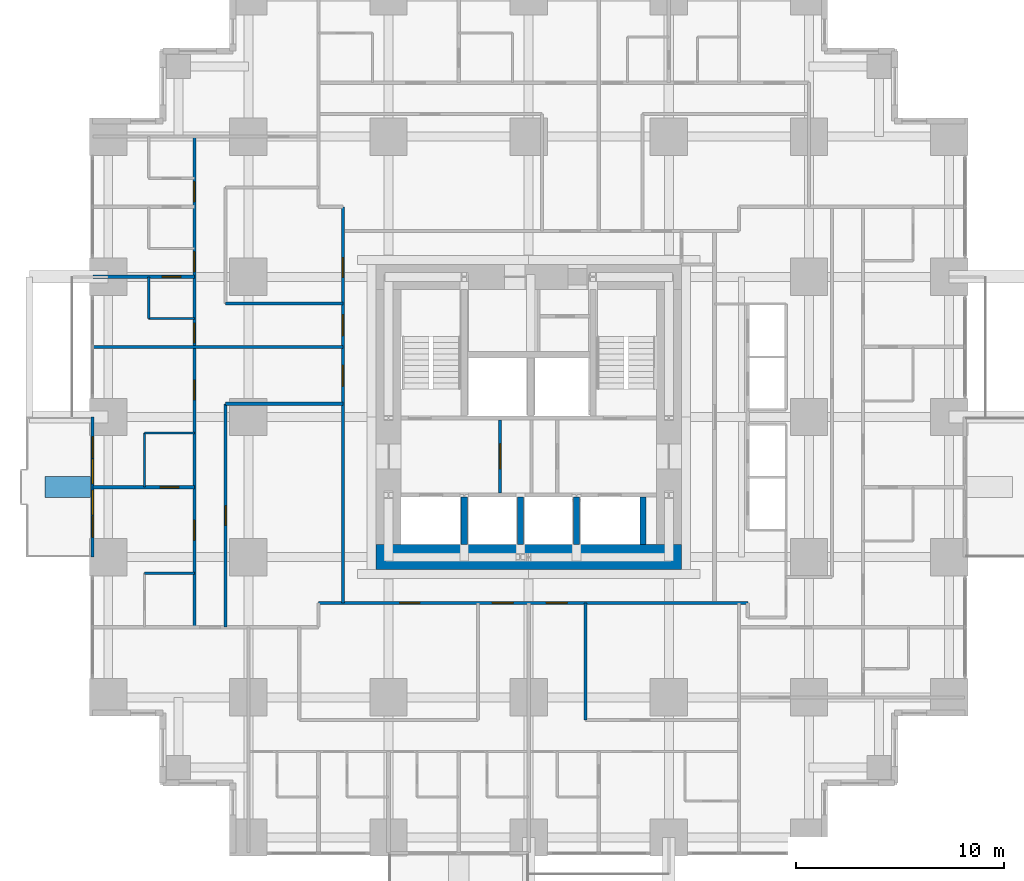
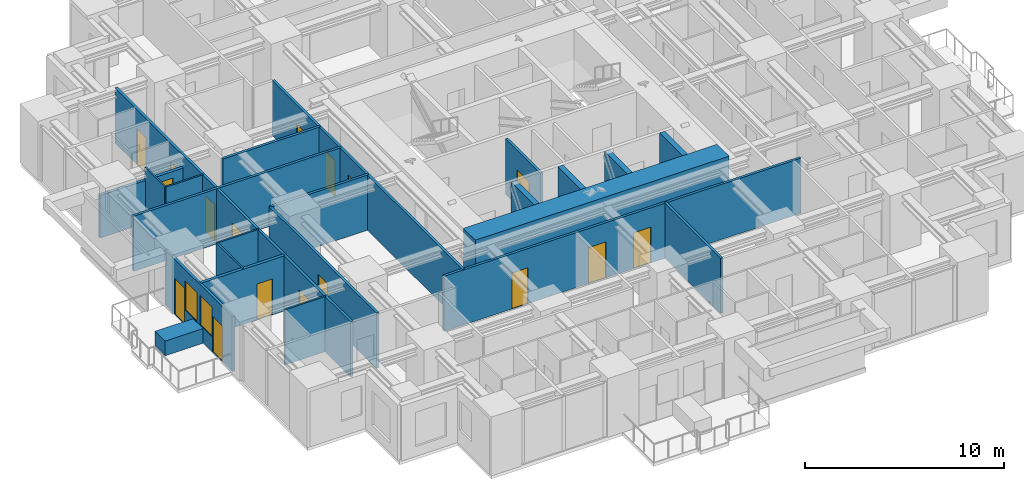
# One storey, part 9 of 14: 23 walls, 17 doors, 2 windows, 19 openings.
"""IFC4 building model written with IfcOpenShell, lengths in metres."""

from ifc_helpers import new_model, si_unit, direction, frame, frame_2d, origin, place, context, subcontext, project, spatial, rectangle, extrude, material, layer, layer_set, type_object, element, fill, save


model = new_model("IFC4")

# Units and contexts
model_context = context("Model", 3, precision=1e-05, world=origin(), true_north=direction((0.0, 1.0)))
body_context = subcontext(model_context, "Body", "Model", "MODEL_VIEW")
ifc_project = project(units=[si_unit("LENGTHUNIT", "METRE"), si_unit("AREAUNIT", "SQUARE_METRE"), si_unit("VOLUMEUNIT", "CUBIC_METRE"), si_unit("PLANEANGLEUNIT", "RADIAN"), si_unit("MASSUNIT", "GRAM", prefix="KILO")], contexts=[model_context])

# Site, building, storey
site_placement = place(None, origin())
site = spatial("IfcSite", under=ifc_project, at=site_placement, CompositionType="ELEMENT")
building_placement = place(site_placement, origin())
building = spatial("IfcBuilding", under=site, at=building_placement, Name="Nyansa Garden Tower", CompositionType="ELEMENT")
storey_placement = place(building_placement, frame((0.0, 0.0, 68.39990234375)))
storey = spatial("IfcBuildingStorey", under=building, at=storey_placement, Name="L18", CompositionType="ELEMENT", Elevation=68.39990234375)

# Wall, opening, door
ifc_material_1 = material(Name="Dense blockwork, plastered both sides, 55 dB", Category="masonry")
ifc_layer_1 = layer(ifc_material_1, 0.175048828125)
ifc_layer_set_1 = layer_set([ifc_layer_1], Name="Acoustic party wall PW175")
wall_type_1 = type_object("IfcWallType", Name="Acoustic party wall PW175", PredefinedType="PARTITIONING", material=ifc_layer_set_1)
wall_1_placement = place(storey_placement, frame((-0.73388671875, 16.875, 0.0), z_axis=(0.0, 0.0, 1.0), x_axis=(1.0, 0.0, 0.0)))
wall_1 = element("IfcWall", 1, at=wall_1_placement, inside=storey, type_object=wall_type_1, Name="Party wall", PredefinedType="PARTITIONING", context=body_context, shape_type="SweptSolid", body=[
    extrude(rectangle(XDim=4.8837890625, YDim=0.175048828125, at=frame_2d((2.44189453125, 0.0))), origin(), (0.0, 0.0, 1.0), 3.375),
])
opening_1_placement = place(wall_1_placement, frame((3.23388671875, 0.0, 0.0)))
opening_1 = element("IfcOpeningElement", 2, at=opening_1_placement, cuts=wall_1, Name="Opening D02", PredefinedType="OPENING", context=body_context, shape_type="SweptSolid", body=[
    extrude(rectangle(XDim=0.89990234375, YDim=2.199951171875, at=frame_2d((0.449951171875, 1.10009765625))), frame((0.0, 0.097412109375, 0.0), z_axis=(0.0, -1.0, 0.0), x_axis=(1.0, 0.0, 0.0)), (0.0, 0.0, 1.0), 0.195068359375),
])
ifc_material_2 = material(Name="Timber flush door", Category="wood")
door_type_1 = type_object("IfcDoorType", Name="En-suite door D02 900x2200", OperationType="SINGLE_SWING_RIGHT", PredefinedType="DOOR", material=ifc_material_2)
door_1_placement = place(opening_1_placement, origin())
door_1 = element("IfcDoor", 3, at=door_1_placement, inside=storey, type_object=door_type_1, Name="Door L18-072", OperationType="SINGLE_SWING_RIGHT", OverallHeight=2.199951171875, OverallWidth=0.89990234375, PredefinedType="DOOR", context=body_context, shape_type="SweptSolid", body=[
    extrude(rectangle(XDim=0.89990234375, YDim=2.199951171875, at=frame_2d((0.449951171875, 1.10009765625))), frame((0.0, 0.02490234375, 0.0), z_axis=(0.0, -1.0, 0.0), x_axis=(1.0, 0.0, 0.0)), (0.0, 0.0, 1.0), 0.050048828125),
])
fill(opening_1, door_1)

wall_2_placement = place(storey_placement, frame((-0.73388671875, 27.0, 0.0), z_axis=(0.0, 0.0, 1.0), x_axis=(1.0, 0.0, 0.0)))
wall_2 = element("IfcWall", 4, at=wall_2_placement, inside=storey, type_object=wall_type_1, Name="Party wall", PredefinedType="PARTITIONING", context=body_context, shape_type="SweptSolid", body=[
    extrude(rectangle(XDim=4.8837890625, YDim=0.175048828125, at=frame_2d((2.44189453125, 0.0))), origin(), (0.0, 0.0, 1.0), 2.610107421875),
])
opening_2_placement = place(wall_2_placement, frame((3.333984375, 0.0, 0.0)))
opening_2 = element("IfcOpeningElement", 5, at=opening_2_placement, cuts=wall_2, Name="Opening D02", PredefinedType="OPENING", context=body_context, shape_type="SweptSolid", body=[
    extrude(rectangle(XDim=0.89990234375, YDim=2.199951171875, at=frame_2d((0.449951171875, 1.10009765625))), frame((0.0, 0.097412109375, 0.0), z_axis=(0.0, -1.0, 0.0), x_axis=(1.0, 0.0, 0.0)), (0.0, 0.0, 1.0), 0.195068359375),
])
door_2_placement = place(opening_2_placement, origin())
door_2 = element("IfcDoor", 6, at=door_2_placement, inside=storey, type_object=door_type_1, Name="Door L18-067", OperationType="SINGLE_SWING_RIGHT", OverallHeight=2.199951171875, OverallWidth=0.89990234375, PredefinedType="DOOR", context=body_context, shape_type="SweptSolid", body=[
    extrude(rectangle(XDim=0.89990234375, YDim=2.199951171875, at=frame_2d((0.449951171875, 1.10009765625))), frame((0.0, 0.02490234375, 0.0), z_axis=(0.0, -1.0, 0.0), x_axis=(1.0, 0.0, 0.0)), (0.0, 0.0, 1.0), 0.050048828125),
])
fill(opening_2, door_2)

# Wall, openings, doors, windows
ifc_material_3 = material(Name="Black aluminium framed glazed screen", Category="aluminium")
ifc_layer_2 = layer(ifc_material_3, 0.14990234375)
ifc_layer_set_2 = layer_set([ifc_layer_2], Name="Balcony screen wall BW150")
wall_type_2 = type_object("IfcWallType", Name="Balcony screen wall BW150", PredefinedType="SOLIDWALL", material=ifc_layer_set_2)
wall_3_placement = place(storey_placement, frame((-0.75, 13.5, 0.0), z_axis=(0.0, 0.0, 1.0), x_axis=(0.0, 1.0, 0.0)))
wall_3 = element("IfcWall", 7, at=wall_3_placement, inside=storey, type_object=wall_type_2, Name="Glazed screen wall L18 W", PredefinedType="SOLIDWALL", context=body_context, shape_type="SweptSolid", body=[
    extrude(rectangle(XDim=6.75, YDim=0.14990234375, at=frame_2d((3.375, 0.0))), origin(), (0.0, 0.0, 1.0), 3.375),
])
opening_3_placement = place(wall_3_placement, frame((0.96240234375, 0.0, 0.0)))
opening_3 = element("IfcOpeningElement", 8, at=opening_3_placement, cuts=wall_3, Name="Opening D20", PredefinedType="OPENING", context=body_context, shape_type="SweptSolid", body=[
    extrude(rectangle(XDim=1.0, YDim=2.199951171875, at=frame_2d((0.5, 1.10009765625))), frame((0.0, 0.0849609375, 0.0), z_axis=(0.0, -1.0, 0.0), x_axis=(1.0, 0.0, 0.0)), (0.0, 0.0, 1.0), 0.169921875),
])
opening_4_placement = place(wall_3_placement, frame((2.02490234375, 0.0, 0.89990234375)))
opening_4 = element("IfcOpeningElement", 9, at=opening_4_placement, cuts=wall_3, Name="Opening W6", PredefinedType="OPENING", context=body_context, shape_type="SweptSolid", body=[
    extrude(rectangle(XDim=1.199951171875, YDim=1.800048828125, at=frame_2d((0.60009765625, 0.89990234375))), frame((0.0, 0.0849609375, 0.0), z_axis=(0.0, -1.0, 0.0), x_axis=(1.0, 0.0, 0.0)), (0.0, 0.0, 1.0), 0.169921875),
])
opening_5_placement = place(wall_3_placement, frame((4.78759765625, 0.0, 0.0)))
opening_5 = element("IfcOpeningElement", 10, at=opening_5_placement, cuts=wall_3, Name="Opening D20", PredefinedType="OPENING", context=body_context, shape_type="SweptSolid", body=[
    extrude(rectangle(XDim=1.0, YDim=2.199951171875, at=frame_2d((0.5, 1.10009765625))), frame((0.0, 0.0849609375, 0.0), z_axis=(0.0, -1.0, 0.0), x_axis=(1.0, 0.0, 0.0)), (0.0, 0.0, 1.0), 0.169921875),
])
opening_6_placement = place(wall_3_placement, frame((3.52490234375, 0.0, 0.89990234375)))
opening_6 = element("IfcOpeningElement", 11, at=opening_6_placement, cuts=wall_3, Name="Opening W6", PredefinedType="OPENING", context=body_context, shape_type="SweptSolid", body=[
    extrude(rectangle(XDim=1.199951171875, YDim=1.800048828125, at=frame_2d((0.60009765625, 0.89990234375))), frame((0.0, 0.0849609375, 0.0), z_axis=(0.0, -1.0, 0.0), x_axis=(1.0, 0.0, 0.0)), (0.0, 0.0, 1.0), 0.169921875),
])
ifc_material_4 = material(Name="Black aluminium framed glazed door", Category="aluminium")
door_type_2 = type_object("IfcDoorType", Name="Balcony door D20 1000x2200", OperationType="NOTDEFINED", PredefinedType="DOOR", material=ifc_material_4)
door_3_placement = place(opening_3_placement, origin())
door_3 = element("IfcDoor", 12, at=door_3_placement, inside=storey, type_object=door_type_2, Name="Balcony door L18", OperationType="SINGLE_SWING_LEFT", OverallHeight=2.199951171875, OverallWidth=1.0, PredefinedType="DOOR", context=body_context, shape_type="SweptSolid", body=[
    extrude(rectangle(XDim=1.0, YDim=2.199951171875, at=frame_2d((0.5, 1.10009765625))), frame((0.0, 0.02490234375, 0.0), z_axis=(0.0, -1.0, 0.0), x_axis=(1.0, 0.0, 0.0)), (0.0, 0.0, 1.0), 0.050048828125),
])
fill(opening_3, door_3)
door_4_placement = place(opening_5_placement, origin())
door_4 = element("IfcDoor", 13, at=door_4_placement, inside=storey, type_object=door_type_2, Name="Balcony door L18", OperationType="SINGLE_SWING_RIGHT", OverallHeight=2.199951171875, OverallWidth=1.0, PredefinedType="DOOR", context=body_context, shape_type="SweptSolid", body=[
    extrude(rectangle(XDim=1.0, YDim=2.199951171875, at=frame_2d((0.5, 1.10009765625))), frame((0.0, 0.02490234375, 0.0), z_axis=(0.0, -1.0, 0.0), x_axis=(1.0, 0.0, 0.0)), (0.0, 0.0, 1.0), 0.050048828125),
])
fill(opening_5, door_4)
ifc_material_5 = material(Name="Black aluminium frame, dark tinted double glazing", Category="aluminium")
window_type = type_object("IfcWindowType", Name="Balcony window W6 1200x1800", PartitioningType="SINGLE_PANEL", PredefinedType="WINDOW", material=ifc_material_5)
window_1_placement = place(opening_4_placement, origin())
window_1 = element("IfcWindow", 14, at=window_1_placement, inside=storey, type_object=window_type, Name="Window L18", OverallHeight=1.800048828125, OverallWidth=1.199951171875, PartitioningType="SINGLE_PANEL", PredefinedType="WINDOW", context=body_context, shape_type="SweptSolid", body=[
    extrude(rectangle(XDim=1.199951171875, YDim=1.800048828125, at=frame_2d((0.60009765625, 0.89990234375))), frame((0.0, 0.030029296875, 0.0), z_axis=(0.0, -1.0, 0.0), x_axis=(1.0, 0.0, 0.0)), (0.0, 0.0, 1.0), 0.06005859375),
])
fill(opening_4, window_1)
window_2_placement = place(opening_6_placement, origin())
window_2 = element("IfcWindow", 15, at=window_2_placement, inside=storey, type_object=window_type, Name="Window L18", OverallHeight=1.800048828125, OverallWidth=1.199951171875, PartitioningType="SINGLE_PANEL", PredefinedType="WINDOW", context=body_context, shape_type="SweptSolid", body=[
    extrude(rectangle(XDim=1.199951171875, YDim=1.800048828125, at=frame_2d((0.60009765625, 0.89990234375))), frame((0.0, 0.030029296875, 0.0), z_axis=(0.0, -1.0, 0.0), x_axis=(1.0, 0.0, 0.0)), (0.0, 0.0, 1.0), 0.06005859375),
])
fill(opening_6, window_2)

# Walls
ifc_material_6 = material(Name="Concrete C70/85", Category="concrete")
ifc_layer_3 = layer(ifc_material_6, 0.300048828125)
ifc_layer_set_3 = layer_set([ifc_layer_3], Name="Core inner wall CI300")
wall_type_3 = type_object("IfcWallType", Name="Core inner wall CI300", PredefinedType="SHEAR", material=ifc_layer_set_3)
for number, where, z_axis, x_axis, name in (
    (16, (17.14990234375, 14.10009765625, 0.0), (0.0, 0.0, 1.0), (0.0, 1.0, 0.0), "Core inner wall L18"),
    (17, (19.85009765625, 14.10009765625, 0.0), (0.0, 0.0, 1.0), (0.0, 1.0, 0.0), "Core inner wall L18"),
    (18, (22.550048828125, 14.10009765625, 0.0), (0.0, 0.0, 1.0), (0.0, 1.0, 0.0), "Core inner wall L18"),
    (19, (25.75, 14.10009765625, 0.0), (0.0, 0.0, 1.0), (0.0, 1.0, 0.0), "Core inner wall L18"),
):
    element("IfcWall", number, at=place(storey_placement, frame(where, z_axis=z_axis, x_axis=x_axis)), inside=storey, type_object=wall_type_3, Name=name, PredefinedType="SHEAR", context=body_context, shape_type="SweptSolid", body=[
        extrude(rectangle(XDim=2.2998046875, YDim=0.300048828125, at=frame_2d((1.14990234375, 0.0))), origin(), (0.0, 0.0, 1.0), 3.60009765625),
    ])
ifc_material_7 = material(Name="Concrete C80/95", Category="concrete")
ifc_layer_4 = layer(ifc_material_7, 1.199951171875)
ifc_layer_set_4 = layer_set([ifc_layer_4], Name="Core wall CW1200")
wall_type_4 = type_object("IfcWallType", Name="Core wall CW1200", PredefinedType="SHEAR", material=ifc_layer_set_4)
wall_4_placement = place(storey_placement, frame((12.89990234375, 13.5, 0.0), z_axis=(0.0, 0.0, 1.0), x_axis=(1.0, 0.0, 0.0)))
element("IfcWall", 20, at=wall_4_placement, inside=storey, type_object=wall_type_4, Name="Core wall S L18", PredefinedType="SHEAR", context=body_context, shape_type="SweptSolid", body=[
    extrude(rectangle(XDim=14.7001953125, YDim=1.199951171875, at=frame_2d((7.35009765625, 0.0))), origin(), (0.0, 0.0, 1.0), 3.60009765625),
])

# Wall, opening, door
ifc_material_8 = material(Name="Blockwork, plastered both sides", Category="masonry")
ifc_layer_5 = layer(ifc_material_8, 0.14990234375)
ifc_layer_set_5 = layer_set([ifc_layer_5], Name="Partition PW150")
wall_type_5 = type_object("IfcWallType", Name="Partition PW150", PredefinedType="PARTITIONING", material=ifc_layer_set_5)
wall_5_placement = place(storey_placement, frame((18.875, 16.60009765625, 0.0), z_axis=(0.0, 0.0, 1.0), x_axis=(0.0, 1.0, 0.0)))
wall_5 = element("IfcWall", 21, at=wall_5_placement, inside=storey, type_object=wall_type_5, Name="Partition", PredefinedType="PARTITIONING", context=body_context, shape_type="SweptSolid", body=[
    extrude(rectangle(XDim=3.5, YDim=0.14990234375, at=frame_2d((1.75, 0.0))), origin(), (0.0, 0.0, 1.0), 3.375),
])
opening_7_placement = place(wall_5_placement, frame((1.14990234375, 0.0, 0.0)))
opening_7 = element("IfcOpeningElement", 22, at=opening_7_placement, cuts=wall_5, Name="Opening D06", PredefinedType="OPENING", context=body_context, shape_type="SweptSolid", body=[
    extrude(rectangle(XDim=1.199951171875, YDim=2.199951171875, at=frame_2d((0.60009765625, 1.10009765625))), frame((0.0, 0.0849609375, 0.0), z_axis=(0.0, -1.0, 0.0), x_axis=(1.0, 0.0, 0.0)), (0.0, 0.0, 1.0), 0.169921875),
])
ifc_material_9 = material(Name="Steel door, 120 minute fire resisting", Category="steel")
door_type_3 = type_object("IfcDoorType", Name="Lobby door D06 1200x2200", OperationType="DOUBLE_DOOR_SINGLE_SWING", PredefinedType="DOOR", material=ifc_material_9)
door_5_placement = place(opening_7_placement, origin())
door_5 = element("IfcDoor", 23, at=door_5_placement, inside=storey, type_object=door_type_3, Name="Passenger lift lobby door", OperationType="DOUBLE_DOOR_SINGLE_SWING", OverallHeight=2.199951171875, OverallWidth=1.199951171875, PredefinedType="DOOR", context=body_context, shape_type="SweptSolid", body=[
    extrude(rectangle(XDim=1.199951171875, YDim=2.199951171875, at=frame_2d((0.60009765625, 1.10009765625))), frame((0.0, 0.02490234375, 0.0), z_axis=(0.0, -1.0, 0.0), x_axis=(1.0, 0.0, 0.0)), (0.0, 0.0, 1.0), 0.050048828125),
])
fill(opening_7, door_5)

# Wall
wall_6_placement = place(storey_placement, frame((-0.73388671875, 23.625, 0.0), z_axis=(0.0, 0.0, 1.0), x_axis=(1.0, 0.0, 0.0)))
element("IfcWall", 24, at=wall_6_placement, inside=storey, type_object=wall_type_5, Name="Partition", PredefinedType="PARTITIONING", context=body_context, shape_type="SweptSolid", body=[
    extrude(rectangle(XDim=12.033935546875, YDim=0.14990234375, at=frame_2d((6.01708984375, 0.0))), origin(), (0.0, 0.0, 1.0), 3.375),
])

# Wall, openings, doors
wall_7_placement = place(storey_placement, frame((4.14990234375, 10.125, 0.0), z_axis=(0.0, 0.0, 1.0), x_axis=(0.0, 1.0, 0.0)))
wall_7 = element("IfcWall", 25, at=wall_7_placement, inside=storey, type_object=wall_type_5, Name="Partition", PredefinedType="PARTITIONING", context=body_context, shape_type="SweptSolid", body=[
    extrude(rectangle(XDim=23.625, YDim=0.14990234375, at=frame_2d((11.8125, 0.0))), origin(), (0.0, 0.0, 1.0), 3.375),
])
opening_8_placement = place(wall_7_placement, frame((20.5, 0.0, 0.0)))
opening_8 = element("IfcOpeningElement", 26, at=opening_8_placement, cuts=wall_7, Name="Opening D01", PredefinedType="OPENING", context=body_context, shape_type="SweptSolid", body=[
    extrude(rectangle(XDim=0.949951171875, YDim=2.199951171875, at=frame_2d((0.47509765625, 1.10009765625))), frame((0.0, 0.0849609375, 0.0), z_axis=(0.0, -1.0, 0.0), x_axis=(1.0, 0.0, 0.0)), (0.0, 0.0, 1.0), 0.169921875),
])
opening_9_placement = place(wall_7_placement, frame((17.125, 0.0, 0.0)))
opening_9 = element("IfcOpeningElement", 27, at=opening_9_placement, cuts=wall_7, Name="Opening D01", PredefinedType="OPENING", context=body_context, shape_type="SweptSolid", body=[
    extrude(rectangle(XDim=0.949951171875, YDim=2.199951171875, at=frame_2d((0.47509765625, 1.10009765625))), frame((0.0, 0.0849609375, 0.0), z_axis=(0.0, -1.0, 0.0), x_axis=(1.0, 0.0, 0.0)), (0.0, 0.0, 1.0), 0.169921875),
])
opening_10_placement = place(wall_7_placement, frame((13.699951171875, 0.0, 0.0)))
opening_10 = element("IfcOpeningElement", 28, at=opening_10_placement, cuts=wall_7, Name="Opening D01", PredefinedType="OPENING", context=body_context, shape_type="SweptSolid", body=[
    extrude(rectangle(XDim=0.949951171875, YDim=2.199951171875, at=frame_2d((0.47509765625, 1.10009765625))), frame((0.0, 0.0849609375, 0.0), z_axis=(0.0, -1.0, 0.0), x_axis=(1.0, 0.0, 0.0)), (0.0, 0.0, 1.0), 0.169921875),
])
opening_11_placement = place(wall_7_placement, frame((4.199951171875, 0.0, 0.0)))
opening_11 = element("IfcOpeningElement", 29, at=opening_11_placement, cuts=wall_7, Name="Opening D14", PredefinedType="OPENING", context=body_context, shape_type="SweptSolid", body=[
    extrude(rectangle(XDim=0.949951171875, YDim=2.199951171875, at=frame_2d((0.47509765625, 1.10009765625))), frame((0.0, 0.0849609375, 0.0), z_axis=(0.0, -1.0, 0.0), x_axis=(1.0, 0.0, 0.0)), (0.0, 0.0, 1.0), 0.169921875),
])
opening_12_placement = place(wall_7_placement, frame((10.949951171875, 0.0, 0.0)))
opening_12 = element("IfcOpeningElement", 30, at=opening_12_placement, cuts=wall_7, Name="Opening D14", PredefinedType="OPENING", context=body_context, shape_type="SweptSolid", body=[
    extrude(rectangle(XDim=0.949951171875, YDim=2.199951171875, at=frame_2d((0.47509765625, 1.10009765625))), frame((0.0, 0.0849609375, 0.0), z_axis=(0.0, -1.0, 0.0), x_axis=(1.0, 0.0, 0.0)), (0.0, 0.0, 1.0), 0.169921875),
])
ifc_material_10 = material(Name="Timber flush door, 30 minute fire resisting", Category="wood")
door_type_4 = type_object("IfcDoorType", Name="Bedroom door D01 950x2200", OperationType="SINGLE_SWING_LEFT", PredefinedType="DOOR", material=ifc_material_10)
door_6_placement = place(opening_8_placement, origin())
door_6 = element("IfcDoor", 31, at=door_6_placement, inside=storey, type_object=door_type_4, Name="Door L18-062", OperationType="SINGLE_SWING_LEFT", OverallHeight=2.199951171875, OverallWidth=0.949951171875, PredefinedType="DOOR", context=body_context, shape_type="SweptSolid", body=[
    extrude(rectangle(XDim=0.949951171875, YDim=2.199951171875, at=frame_2d((0.47509765625, 1.10009765625))), frame((0.0, 0.02490234375, 0.0), z_axis=(0.0, -1.0, 0.0), x_axis=(1.0, 0.0, 0.0)), (0.0, 0.0, 1.0), 0.050048828125),
])
fill(opening_8, door_6)
door_7_placement = place(opening_9_placement, origin())
door_7 = element("IfcDoor", 32, at=door_7_placement, inside=storey, type_object=door_type_4, Name="Door L18-064", OperationType="SINGLE_SWING_LEFT", OverallHeight=2.199951171875, OverallWidth=0.949951171875, PredefinedType="DOOR", context=body_context, shape_type="SweptSolid", body=[
    extrude(rectangle(XDim=0.949951171875, YDim=2.199951171875, at=frame_2d((0.47509765625, 1.10009765625))), frame((0.0, 0.02490234375, 0.0), z_axis=(0.0, -1.0, 0.0), x_axis=(1.0, 0.0, 0.0)), (0.0, 0.0, 1.0), 0.050048828125),
])
fill(opening_9, door_7)
door_8_placement = place(opening_10_placement, origin())
door_8 = element("IfcDoor", 33, at=door_8_placement, inside=storey, type_object=door_type_4, Name="Door L18-066", OperationType="SINGLE_SWING_LEFT", OverallHeight=2.199951171875, OverallWidth=0.949951171875, PredefinedType="DOOR", context=body_context, shape_type="SweptSolid", body=[
    extrude(rectangle(XDim=0.949951171875, YDim=2.199951171875, at=frame_2d((0.47509765625, 1.10009765625))), frame((0.0, 0.02490234375, 0.0), z_axis=(0.0, -1.0, 0.0), x_axis=(1.0, 0.0, 0.0)), (0.0, 0.0, 1.0), 0.050048828125),
])
fill(opening_10, door_8)
ifc_material_11 = material(Name="Timber flush door, 60 minute fire resisting, self-closing", Category="wood")
door_type_5 = type_object("IfcDoorType", Name="Studio entrance door D14 950x2200", OperationType="SINGLE_SWING_LEFT", PredefinedType="DOOR", material=ifc_material_11)
door_9_placement = place(opening_11_placement, origin())
door_9 = element("IfcDoor", 34, at=door_9_placement, inside=storey, type_object=door_type_5, Name="Door L18-069", OperationType="SINGLE_SWING_LEFT", OverallHeight=2.199951171875, OverallWidth=0.949951171875, PredefinedType="DOOR", context=body_context, shape_type="SweptSolid", body=[
    extrude(rectangle(XDim=0.949951171875, YDim=2.199951171875, at=frame_2d((0.47509765625, 1.10009765625))), frame((0.0, 0.02490234375, 0.0), z_axis=(0.0, -1.0, 0.0), x_axis=(1.0, 0.0, 0.0)), (0.0, 0.0, 1.0), 0.050048828125),
])
fill(opening_11, door_9)
door_10_placement = place(opening_12_placement, origin())
door_10 = element("IfcDoor", 35, at=door_10_placement, inside=storey, type_object=door_type_5, Name="Door L18-071", OperationType="SINGLE_SWING_LEFT", OverallHeight=2.199951171875, OverallWidth=0.949951171875, PredefinedType="DOOR", context=body_context, shape_type="SweptSolid", body=[
    extrude(rectangle(XDim=0.949951171875, YDim=2.199951171875, at=frame_2d((0.47509765625, 1.10009765625))), frame((0.0, 0.02490234375, 0.0), z_axis=(0.0, -1.0, 0.0), x_axis=(1.0, 0.0, 0.0)), (0.0, 0.0, 1.0), 0.050048828125),
])
fill(opening_12, door_10)

# Wall, opening, door
wall_8_placement = place(storey_placement, frame((5.64990234375, 10.125, 0.0), z_axis=(0.0, 0.0, 1.0), x_axis=(0.0, 1.0, 0.0)))
wall_8 = element("IfcWall", 36, at=wall_8_placement, inside=storey, type_object=wall_type_5, Name="Partition", PredefinedType="PARTITIONING", context=body_context, shape_type="SweptSolid", body=[
    extrude(rectangle(XDim=10.762451171875, YDim=0.14990234375, at=frame_2d((5.38134765625, 0.0))), origin(), (0.0, 0.0, 1.0), 3.375),
])
opening_13_placement = place(wall_8_placement, frame((4.89990234375, 0.0, 0.0)))
opening_13 = element("IfcOpeningElement", 37, at=opening_13_placement, cuts=wall_8, Name="Opening D01", PredefinedType="OPENING", context=body_context, shape_type="SweptSolid", body=[
    extrude(rectangle(XDim=0.949951171875, YDim=2.199951171875, at=frame_2d((0.47509765625, 1.10009765625))), frame((0.0, 0.0849609375, 0.0), z_axis=(0.0, -1.0, 0.0), x_axis=(1.0, 0.0, 0.0)), (0.0, 0.0, 1.0), 0.169921875),
])
door_11_placement = place(opening_13_placement, origin())
door_11 = element("IfcDoor", 38, at=door_11_placement, inside=storey, type_object=door_type_4, Name="Door L18-075", OperationType="SINGLE_SWING_LEFT", OverallHeight=2.199951171875, OverallWidth=0.949951171875, PredefinedType="DOOR", context=body_context, shape_type="SweptSolid", body=[
    extrude(rectangle(XDim=0.949951171875, YDim=2.199951171875, at=frame_2d((0.47509765625, 1.10009765625))), frame((0.0, 0.02490234375, 0.0), z_axis=(0.0, -1.0, 0.0), x_axis=(1.0, 0.0, 0.0)), (0.0, 0.0, 1.0), 0.050048828125),
])
fill(opening_13, door_11)

# Walls
for number, where, z_axis, x_axis, name in (
    (39, (5.64990234375, 20.886962890625, 0.0), (0.0, 0.0, 1.0), (1.0, 0.0, 0.0), "Partition"),
    (40, (5.64990234375, 25.72509765625, 0.0), (0.0, 0.0, 1.0), (1.0, 0.0, 0.0), "Partition"),
):
    element("IfcWall", number, at=place(storey_placement, frame(where, z_axis=z_axis, x_axis=x_axis)), inside=storey, type_object=wall_type_5, Name=name, PredefinedType="PARTITIONING", context=body_context, shape_type="SweptSolid", body=[
        extrude(rectangle(XDim=5.650146484375, YDim=0.14990234375, at=frame_2d((2.8251953125, 0.0))), origin(), (0.0, 0.0, 1.0), 3.375),
    ])

# Wall, openings, doors
wall_9_placement = place(storey_placement, frame((10.125, 11.300048828125, 0.0), z_axis=(0.0, 0.0, 1.0), x_axis=(1.0, 0.0, 0.0)))
wall_9 = element("IfcWall", 41, at=wall_9_placement, inside=storey, type_object=wall_type_5, Name="Partition", PredefinedType="PARTITIONING", context=body_context, shape_type="SweptSolid", body=[
    extrude(rectangle(XDim=20.675048828125, YDim=0.14990234375, at=frame_2d((10.33740234375, 0.0))), origin(), (0.0, 0.0, 1.0), 3.375),
])
opening_14_placement = place(wall_9_placement, frame((8.375, 0.0, 0.0)))
opening_14 = element("IfcOpeningElement", 42, at=opening_14_placement, cuts=wall_9, Name="Opening D03", PredefinedType="OPENING", context=body_context, shape_type="SweptSolid", body=[
    extrude(rectangle(XDim=1.0, YDim=2.199951171875, at=frame_2d((0.5, 1.10009765625))), frame((0.0, 0.0849609375, 0.0), z_axis=(0.0, -1.0, 0.0), x_axis=(1.0, 0.0, 0.0)), (0.0, 0.0, 1.0), 0.169921875),
])
opening_15_placement = place(wall_9_placement, frame((10.97509765625, 0.0, 0.0)))
opening_15 = element("IfcOpeningElement", 43, at=opening_15_placement, cuts=wall_9, Name="Opening D03", PredefinedType="OPENING", context=body_context, shape_type="SweptSolid", body=[
    extrude(rectangle(XDim=1.0, YDim=2.199951171875, at=frame_2d((0.5, 1.10009765625))), frame((0.0, 0.0849609375, 0.0), z_axis=(0.0, -1.0, 0.0), x_axis=(1.0, 0.0, 0.0)), (0.0, 0.0, 1.0), 0.169921875),
])
opening_16_placement = place(wall_9_placement, frame((3.925048828125, 0.0, 0.0)))
opening_16 = element("IfcOpeningElement", 44, at=opening_16_placement, cuts=wall_9, Name="Opening D01", PredefinedType="OPENING", context=body_context, shape_type="SweptSolid", body=[
    extrude(rectangle(XDim=0.949951171875, YDim=2.199951171875, at=frame_2d((0.47509765625, 1.10009765625))), frame((0.0, 0.0849609375, 0.0), z_axis=(0.0, -1.0, 0.0), x_axis=(1.0, 0.0, 0.0)), (0.0, 0.0, 1.0), 0.169921875),
])
door_12_placement = place(opening_16_placement, origin())
door_12 = element("IfcDoor", 45, at=door_12_placement, inside=storey, type_object=door_type_4, Name="Door L18-034", OperationType="SINGLE_SWING_LEFT", OverallHeight=2.199951171875, OverallWidth=0.949951171875, PredefinedType="DOOR", context=body_context, shape_type="SweptSolid", body=[
    extrude(rectangle(XDim=0.949951171875, YDim=2.199951171875, at=frame_2d((0.47509765625, 1.10009765625))), frame((0.0, 0.02490234375, 0.0), z_axis=(0.0, -1.0, 0.0), x_axis=(1.0, 0.0, 0.0)), (0.0, 0.0, 1.0), 0.050048828125),
])
fill(opening_16, door_12)
ifc_material_12 = material(Name="Timber flush door, 60 minute fire resisting", Category="wood")
door_type_6 = type_object("IfcDoorType", Name="Cluster entrance door D03 1000x2200", OperationType="SINGLE_SWING_LEFT", PredefinedType="DOOR", material=ifc_material_12)
door_13_placement = place(opening_14_placement, origin())
door_13 = element("IfcDoor", 46, at=door_13_placement, inside=storey, type_object=door_type_6, Name="Door L18-028", OperationType="SINGLE_SWING_LEFT", OverallHeight=2.199951171875, OverallWidth=1.0, PredefinedType="DOOR", context=body_context, shape_type="SweptSolid", body=[
    extrude(rectangle(XDim=1.0, YDim=2.199951171875, at=frame_2d((0.5, 1.10009765625))), frame((0.0, 0.02490234375, 0.0), z_axis=(0.0, -1.0, 0.0), x_axis=(1.0, 0.0, 0.0)), (0.0, 0.0, 1.0), 0.050048828125),
])
fill(opening_14, door_13)
door_14_placement = place(opening_15_placement, origin())
door_14 = element("IfcDoor", 47, at=door_14_placement, inside=storey, type_object=door_type_6, Name="Door L18-033", OperationType="SINGLE_SWING_LEFT", OverallHeight=2.199951171875, OverallWidth=1.0, PredefinedType="DOOR", context=body_context, shape_type="SweptSolid", body=[
    extrude(rectangle(XDim=1.0, YDim=2.199951171875, at=frame_2d((0.5, 1.10009765625))), frame((0.0, 0.02490234375, 0.0), z_axis=(0.0, -1.0, 0.0), x_axis=(1.0, 0.0, 0.0)), (0.0, 0.0, 1.0), 0.050048828125),
])
fill(opening_15, door_14)

wall_10_placement = place(storey_placement, frame((11.300048828125, 11.300048828125, 0.0), z_axis=(0.0, 0.0, 1.0), x_axis=(0.0, 1.0, 0.0)))
wall_10 = element("IfcWall", 48, at=wall_10_placement, inside=storey, type_object=wall_type_5, Name="Partition", PredefinedType="PARTITIONING", context=body_context, shape_type="SweptSolid", body=[
    extrude(rectangle(XDim=19.074951171875, YDim=0.14990234375, at=frame_2d((9.53759765625, 0.0))), origin(), (0.0, 0.0, 1.0), 3.375),
])
opening_17_placement = place(wall_10_placement, frame((12.875, 0.0, 0.0)))
opening_17 = element("IfcOpeningElement", 49, at=opening_17_placement, cuts=wall_10, Name="Opening D03", PredefinedType="OPENING", context=body_context, shape_type="SweptSolid", body=[
    extrude(rectangle(XDim=1.0, YDim=2.199951171875, at=frame_2d((0.5, 1.10009765625))), frame((0.0, 0.0849609375, 0.0), z_axis=(0.0, -1.0, 0.0), x_axis=(1.0, 0.0, 0.0)), (0.0, 0.0, 1.0), 0.169921875),
])
opening_18_placement = place(wall_10_placement, frame((10.4375, 0.0, 0.0)))
opening_18 = element("IfcOpeningElement", 50, at=opening_18_placement, cuts=wall_10, Name="Opening D03", PredefinedType="OPENING", context=body_context, shape_type="SweptSolid", body=[
    extrude(rectangle(XDim=1.0, YDim=2.199951171875, at=frame_2d((0.5, 1.10009765625))), frame((0.0, 0.0849609375, 0.0), z_axis=(0.0, -1.0, 0.0), x_axis=(1.0, 0.0, 0.0)), (0.0, 0.0, 1.0), 0.169921875),
])
opening_19_placement = place(wall_10_placement, frame((15.675048828125, 0.0, 0.0)))
opening_19 = element("IfcOpeningElement", 51, at=opening_19_placement, cuts=wall_10, Name="Opening D01", PredefinedType="OPENING", context=body_context, shape_type="SweptSolid", body=[
    extrude(rectangle(XDim=0.949951171875, YDim=2.199951171875, at=frame_2d((0.47509765625, 1.10009765625))), frame((0.0, 0.0849609375, 0.0), z_axis=(0.0, -1.0, 0.0), x_axis=(1.0, 0.0, 0.0)), (0.0, 0.0, 1.0), 0.169921875),
])
door_15_placement = place(opening_19_placement, origin())
door_15 = element("IfcDoor", 52, at=door_15_placement, inside=storey, type_object=door_type_4, Name="Door L18-074", OperationType="SINGLE_SWING_LEFT", OverallHeight=2.199951171875, OverallWidth=0.949951171875, PredefinedType="DOOR", context=body_context, shape_type="SweptSolid", body=[
    extrude(rectangle(XDim=0.949951171875, YDim=2.199951171875, at=frame_2d((0.47509765625, 1.10009765625))), frame((0.0, 0.02490234375, 0.0), z_axis=(0.0, -1.0, 0.0), x_axis=(1.0, 0.0, 0.0)), (0.0, 0.0, 1.0), 0.050048828125),
])
fill(opening_19, door_15)
door_16_placement = place(opening_17_placement, origin())
door_16 = element("IfcDoor", 53, at=door_16_placement, inside=storey, type_object=door_type_6, Name="Door L18-068", OperationType="SINGLE_SWING_LEFT", OverallHeight=2.199951171875, OverallWidth=1.0, PredefinedType="DOOR", context=body_context, shape_type="SweptSolid", body=[
    extrude(rectangle(XDim=1.0, YDim=2.199951171875, at=frame_2d((0.5, 1.10009765625))), frame((0.0, 0.02490234375, 0.0), z_axis=(0.0, -1.0, 0.0), x_axis=(1.0, 0.0, 0.0)), (0.0, 0.0, 1.0), 0.050048828125),
])
fill(opening_17, door_16)
door_17_placement = place(opening_18_placement, origin())
door_17 = element("IfcDoor", 54, at=door_17_placement, inside=storey, type_object=door_type_6, Name="Door L18-073", OperationType="SINGLE_SWING_LEFT", OverallHeight=2.199951171875, OverallWidth=1.0, PredefinedType="DOOR", context=body_context, shape_type="SweptSolid", body=[
    extrude(rectangle(XDim=1.0, YDim=2.199951171875, at=frame_2d((0.5, 1.10009765625))), frame((0.0, 0.02490234375, 0.0), z_axis=(0.0, -1.0, 0.0), x_axis=(1.0, 0.0, 0.0)), (0.0, 0.0, 1.0), 0.050048828125),
])
fill(opening_18, door_17)

# Walls
wall_11_placement = place(storey_placement, frame((22.988037109375, 5.64990234375, 0.0), z_axis=(0.0, 0.0, 1.0), x_axis=(0.0, 1.0, 0.0)))
element("IfcWall", 55, at=wall_11_placement, inside=storey, type_object=wall_type_5, Name="Partition", PredefinedType="PARTITIONING", context=body_context, shape_type="SweptSolid", body=[
    extrude(rectangle(XDim=5.650146484375, YDim=0.14990234375, at=frame_2d((2.8251953125, 0.0))), origin(), (0.0, 0.0, 1.0), 3.375),
])
ifc_material_13 = material(Name="Concrete C40/50 planter, waterproofed", Category="concrete")
ifc_layer_6 = layer(ifc_material_13, 1.0)
ifc_layer_set_6 = layer_set([ifc_layer_6], Name="Tree planter TP1")
wall_type_6 = type_object("IfcWallType", Name="Tree planter TP1", PredefinedType="USERDEFINED", material=ifc_layer_set_6)
wall_12_placement = place(storey_placement, frame((-0.85009765625, 16.875, 0.0), z_axis=(0.0, 0.0, 1.0), x_axis=(-1.0, 0.0, 0.0)))
element("IfcWall", 56, at=wall_12_placement, inside=storey, type_object=wall_type_6, Name="Tree planter L18", ObjectType="TREE PLANTER", PredefinedType="USERDEFINED", context=body_context, shape_type="SweptSolid", body=[
    extrude(rectangle(XDim=2.199951171875, YDim=1.0, at=frame_2d((1.10009765625, 0.0))), origin(), (0.0, 0.0, 1.0), 0.900146484375),
])
ifc_material_14 = material(Name="Moisture resistant board on steel studs, tiled", Category="steel")
ifc_layer_7 = layer(ifc_material_14, 0.10009765625)
ifc_layer_set_7 = layer_set([ifc_layer_7], Name="Wet wall PW100")
wall_type_7 = type_object("IfcWallType", Name="Wet wall PW100", PredefinedType="PARTITIONING", material=ifc_layer_set_7)
wall_13_placement = place(storey_placement, frame((1.75, 12.72509765625, 0.0), z_axis=(0.0, 0.0, 1.0), x_axis=(1.0, 0.0, 0.0)))
element("IfcWall", 57, at=wall_13_placement, inside=storey, type_object=wall_type_7, Name="Wet wall", PredefinedType="PARTITIONING", context=body_context, shape_type="SweptSolid", body=[
    extrude(rectangle(XDim=2.39990234375, YDim=0.10009765625, at=frame_2d((1.199951171875, 0.0))), origin(), (0.0, 0.0, 1.0), 3.375),
])
wall_14_placement = place(storey_placement, frame((1.75, 16.875, 0.0), z_axis=(0.0, 0.0, 1.0), x_axis=(0.0, 1.0, 0.0)))
element("IfcWall", 58, at=wall_14_placement, inside=storey, type_object=wall_type_7, Name="Wet wall", PredefinedType="PARTITIONING", context=body_context, shape_type="SweptSolid", body=[
    extrude(rectangle(XDim=2.60009765625, YDim=0.10009765625, at=frame_2d((1.300048828125, 0.0))), origin(), (0.0, 0.0, 1.0), 3.375),
])
wall_15_placement = place(storey_placement, frame((1.75, 19.47509765625, 0.0), z_axis=(0.0, 0.0, 1.0), x_axis=(1.0, 0.0, 0.0)))
element("IfcWall", 59, at=wall_15_placement, inside=storey, type_object=wall_type_7, Name="Wet wall", PredefinedType="PARTITIONING", context=body_context, shape_type="SweptSolid", body=[
    extrude(rectangle(XDim=2.39990234375, YDim=0.10009765625, at=frame_2d((1.199951171875, 0.0))), origin(), (0.0, 0.0, 1.0), 3.375),
])
wall_16_placement = place(storey_placement, frame((1.949951171875, 25.0, 0.0), z_axis=(0.0, 0.0, 1.0), x_axis=(0.0, 1.0, 0.0)))
element("IfcWall", 60, at=wall_16_placement, inside=storey, type_object=wall_type_7, Name="Wet wall", PredefinedType="PARTITIONING", context=body_context, shape_type="SweptSolid", body=[
    extrude(rectangle(XDim=2.0, YDim=0.10009765625, at=frame_2d((1.0, 0.0))), origin(), (0.0, 0.0, 1.0), 3.375),
])
wall_17_placement = place(storey_placement, frame((1.949951171875, 25.0, 0.0), z_axis=(0.0, 0.0, 1.0), x_axis=(1.0, 0.0, 0.0)))
element("IfcWall", 61, at=wall_17_placement, inside=storey, type_object=wall_type_7, Name="Wet wall", PredefinedType="PARTITIONING", context=body_context, shape_type="SweptSolid", body=[
    extrude(rectangle(XDim=2.199951171875, YDim=0.10009765625, at=frame_2d((1.10009765625, 0.0))), origin(), (0.0, 0.0, 1.0), 3.375),
])

save(model, "model.ifc")
